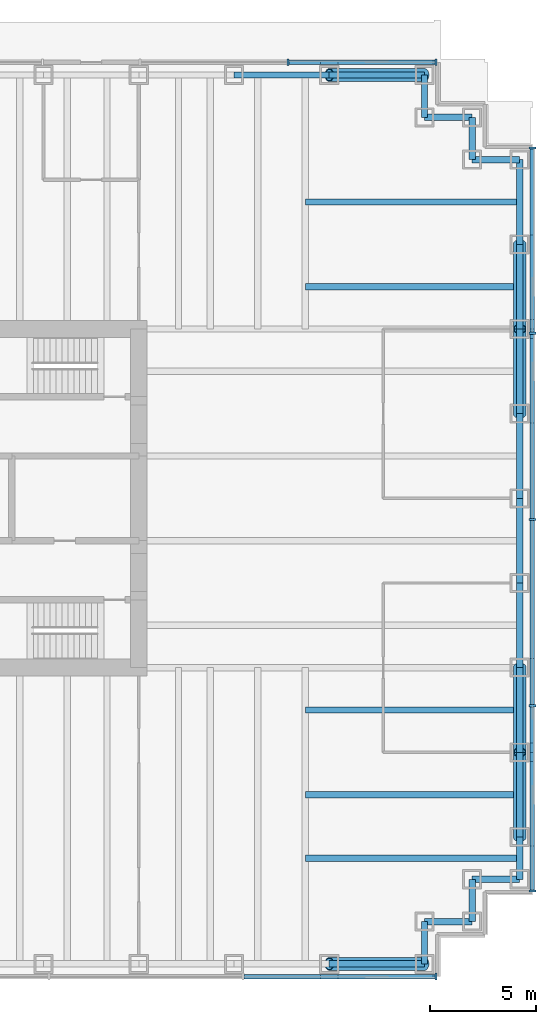
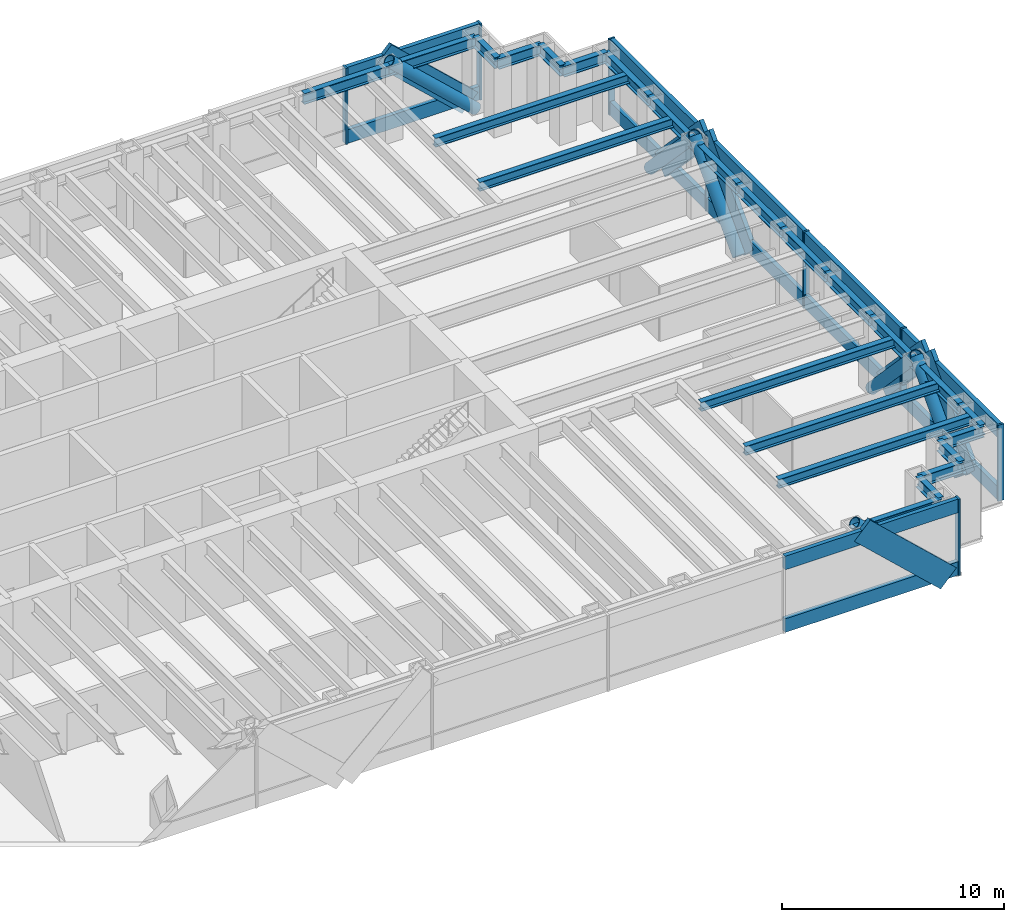
# One storey, part 5 of 14: 32 members, 25 beams, 3 elements without a shape of their own.
"""IFC4 building model written with IfcOpenShell, lengths in metres."""

from ifc_helpers import new_model, si_unit, direction, frame, origin, origin_2d, place, context, subcontext, project, spatial, rectangle, hollow_circle, i_section, extrude, material, material_profile, profile_set, type_object, element, aggregate, save


model = new_model("IFC4")

# Units and contexts
model_context = context("Model", 3, precision=1e-05, world=origin(), true_north=direction((0.0, 1.0)))
body_context = subcontext(model_context, "Body", "Model", "MODEL_VIEW")
ifc_project = project(units=[si_unit("LENGTHUNIT", "METRE"), si_unit("AREAUNIT", "SQUARE_METRE"), si_unit("VOLUMEUNIT", "CUBIC_METRE"), si_unit("PLANEANGLEUNIT", "RADIAN"), si_unit("MASSUNIT", "GRAM", prefix="KILO")], contexts=[model_context])

# Site, building, storey
site_placement = place(None, origin())
site = spatial("IfcSite", under=ifc_project, at=site_placement, CompositionType="ELEMENT")
building_placement = place(site_placement, origin())
building = spatial("IfcBuilding", under=site, at=building_placement, Name="Rheinbord Bourse Tower", CompositionType="ELEMENT")
storey_placement = place(building_placement, frame((0.0, 0.0, 185.800048828125)))
storey = spatial("IfcBuildingStorey", under=building, at=storey_placement, Name="L41", CompositionType="ELEMENT", Elevation=185.800048828125)

# Curtain wall, member
ifc_material_1 = material(Name="Dark glass and black aluminium", Category="aluminium")
curtain_wall_type = type_object("IfcCurtainWallType", Name="CW6 DARK GLASS CURTAIN WALL", PredefinedType="USERDEFINED", material=ifc_material_1)
curtain_wall_1_placement = place(storey_placement, origin())
curtain_wall_1 = element("IfcCurtainWall", 1, at=curtain_wall_1_placement, inside=storey, type_object=curtain_wall_type, Name="Curtain wall CW6 S L41", ObjectType="UNITISED CURTAIN WALL", PredefinedType="USERDEFINED")
ifc_material_2 = material(Name="Black anodised aluminium", Category="aluminium")
ifc_material_profile_1 = material_profile(ifc_material_2, rectangle(XDim=0.219970703125, YDim=1.2099609375, at=origin_2d()), Name="CW6 DIAGONAL MULLION 1210x220")
ifc_profile_set_1 = profile_set([ifc_material_profile_1], Name="Black anodised aluminium")
member_type_1 = type_object("IfcMemberType", Name="CW6 BLACK DIAGONAL MULLION", PredefinedType="USERDEFINED", material=ifc_profile_set_1)
member_1_placement = place(storey_placement, frame((67.5, 1.39990234375, 0.0), z_axis=(-0.73105922506, 0.0, 0.682314010889), x_axis=(0.0, -1.0, 0.0)))
member_1 = element("IfcMember", 2, at=member_1_placement, type_object=member_type_1, Name="CW6 diagonal mullion a", ObjectType="DIAGONAL MULLION", PredefinedType="USERDEFINED", context=body_context, shape_type="SweptSolid", body=[
    extrude(rectangle(XDim=0.219970703125, YDim=1.2099609375, at=origin_2d()), origin(), (0.0, 0.0, 1.0), 6.155517578125),
])

# Curtain wall, members
curtain_wall_2_placement = place(storey_placement, origin())
curtain_wall_2 = element("IfcCurtainWall", 3, at=curtain_wall_2_placement, inside=storey, type_object=curtain_wall_type, Name="Curtain wall CW6 E L41", ObjectType="UNITISED CURTAIN WALL", PredefinedType="USERDEFINED")
member_2_placement = place(storey_placement, frame((72.60009765625, 28.0, 0.0), z_axis=(0.0, 0.689659376744, 0.724133926887), x_axis=(-1.0, 0.0, 0.0)))
member_2 = element("IfcMember", 4, at=member_2_placement, type_object=member_type_1, Name="CW6 diagonal mullion a", ObjectType="DIAGONAL MULLION", PredefinedType="USERDEFINED", context=body_context, shape_type="SweptSolid", body=[
    extrude(rectangle(XDim=0.219970703125, YDim=1.2099609375, at=origin_2d()), origin(), (0.0, 0.0, 1.0), 5.800048828125),
])
member_3_placement = place(storey_placement, frame((72.60009765625, 16.0, 0.0), z_axis=(0.0, -0.689659376744, 0.724133926887), x_axis=(1.0, 0.0, 0.0)))
member_3 = element("IfcMember", 5, at=member_3_placement, type_object=member_type_1, Name="CW6 diagonal mullion b", ObjectType="DIAGONAL MULLION", PredefinedType="USERDEFINED", context=body_context, shape_type="SweptSolid", body=[
    extrude(rectangle(XDim=0.219970703125, YDim=1.2099609375, at=origin_2d()), origin(), (0.0, 0.0, 1.0), 5.800048828125),
])
member_4_placement = place(storey_placement, frame((72.60009765625, 36.0, 0.0), z_axis=(0.0, -0.689659376744, 0.724133926887), x_axis=(1.0, 0.0, 0.0)))
member_4 = element("IfcMember", 6, at=member_4_placement, type_object=member_type_1, Name="CW6 diagonal mullion c", ObjectType="DIAGONAL MULLION", PredefinedType="USERDEFINED", context=body_context, shape_type="SweptSolid", body=[
    extrude(rectangle(XDim=0.219970703125, YDim=1.2099609375, at=origin_2d()), origin(), (0.0, 0.0, 1.0), 5.800048828125),
])
member_5_placement = place(storey_placement, frame((72.60009765625, 8.0, 0.0), z_axis=(0.0, 0.689659376744, 0.724133926887), x_axis=(-1.0, 0.0, 0.0)))
member_5 = element("IfcMember", 7, at=member_5_placement, type_object=member_type_1, Name="CW6 diagonal mullion d", ObjectType="DIAGONAL MULLION", PredefinedType="USERDEFINED", context=body_context, shape_type="SweptSolid", body=[
    extrude(rectangle(XDim=0.219970703125, YDim=1.2099609375, at=origin_2d()), origin(), (0.0, 0.0, 1.0), 5.800048828125),
])

# Curtain wall, member
curtain_wall_3_placement = place(storey_placement, origin())
curtain_wall_3 = element("IfcCurtainWall", 8, at=curtain_wall_3_placement, inside=storey, type_object=curtain_wall_type, Name="Curtain wall CW6 N L41", ObjectType="UNITISED CURTAIN WALL", PredefinedType="USERDEFINED")
member_6_placement = place(storey_placement, frame((67.5, 44.60009765625, 0.0), z_axis=(-0.73105922506, 0.0, 0.682314010889), x_axis=(0.0, -1.0, 0.0)))
member_6 = element("IfcMember", 9, at=member_6_placement, type_object=member_type_1, Name="CW6 diagonal mullion a", ObjectType="DIAGONAL MULLION", PredefinedType="USERDEFINED", context=body_context, shape_type="SweptSolid", body=[
    extrude(rectangle(XDim=0.219970703125, YDim=1.2099609375, at=origin_2d()), origin(), (0.0, 0.0, 1.0), 6.155517578125),
])

# Member
ifc_material_3 = material(Name="Black anodised aluminium", Category="aluminium")
ifc_material_profile_2 = material_profile(ifc_material_3, rectangle(XDim=0.320068359375, YDim=0.10009765625, at=origin_2d()), Name="CW6 MULLION 100x320")
ifc_profile_set_2 = profile_set([ifc_material_profile_2], Name="Black anodised aluminium")
member_type_2 = type_object("IfcMemberType", Name="CW6 BLACK MULLION", PredefinedType="MULLION", material=ifc_profile_set_2)
member_7_placement = place(storey_placement, frame((68.050048828125, 1.39990234375, 0.0), z_axis=(0.0, 0.0, 1.0), x_axis=(0.0, 1.0, 0.0)))
member_7 = element("IfcMember", 10, at=member_7_placement, type_object=member_type_2, Name="CW6 mullion 8", PredefinedType="MULLION", context=body_context, shape_type="SweptSolid", body=[
    extrude(rectangle(XDim=0.320068359375, YDim=0.10009765625, at=origin_2d()), origin(), (0.0, 0.0, 1.0), 4.199951171875),
])

member_8_placement = place(storey_placement, frame((72.60009765625, 5.449951171875, 0.0), z_axis=(0.0, 0.0, 1.0), x_axis=(-1.0, 0.0, 0.0)))
member_8 = element("IfcMember", 11, at=member_8_placement, type_object=member_type_2, Name="CW6 mullion 1", PredefinedType="MULLION", context=body_context, shape_type="SweptSolid", body=[
    extrude(rectangle(XDim=0.320068359375, YDim=0.10009765625, at=origin_2d()), origin(), (0.0, 0.0, 1.0), 4.199951171875),
])

member_9_placement = place(storey_placement, frame((72.60009765625, 14.199951171875, 0.0), z_axis=(0.0, 0.0, 1.0), x_axis=(-1.0, 0.0, 0.0)))
member_9 = element("IfcMember", 12, at=member_9_placement, type_object=member_type_2, Name="CW6 mullion 2", PredefinedType="MULLION", context=body_context, shape_type="SweptSolid", body=[
    extrude(rectangle(XDim=0.320068359375, YDim=0.10009765625, at=origin_2d()), origin(), (0.0, 0.0, 1.0), 4.199951171875),
])

member_10_placement = place(storey_placement, frame((72.60009765625, 23.0, 0.0), z_axis=(0.0, 0.0, 1.0), x_axis=(-1.0, 0.0, 0.0)))
member_10 = element("IfcMember", 13, at=member_10_placement, type_object=member_type_2, Name="CW6 mullion 3", PredefinedType="MULLION", context=body_context, shape_type="SweptSolid", body=[
    extrude(rectangle(XDim=0.320068359375, YDim=0.10009765625, at=origin_2d()), origin(), (0.0, 0.0, 1.0), 4.199951171875),
])

member_11_placement = place(storey_placement, frame((72.60009765625, 31.800048828125, 0.0), z_axis=(0.0, 0.0, 1.0), x_axis=(-1.0, 0.0, 0.0)))
member_11 = element("IfcMember", 14, at=member_11_placement, type_object=member_type_2, Name="CW6 mullion 4", PredefinedType="MULLION", context=body_context, shape_type="SweptSolid", body=[
    extrude(rectangle(XDim=0.320068359375, YDim=0.10009765625, at=origin_2d()), origin(), (0.0, 0.0, 1.0), 4.199951171875),
])

member_12_placement = place(storey_placement, frame((72.60009765625, 40.550048828125, 0.0), z_axis=(0.0, 0.0, 1.0), x_axis=(-1.0, 0.0, 0.0)))
member_12 = element("IfcMember", 15, at=member_12_placement, type_object=member_type_2, Name="CW6 mullion 5", PredefinedType="MULLION", context=body_context, shape_type="SweptSolid", body=[
    extrude(rectangle(XDim=0.320068359375, YDim=0.10009765625, at=origin_2d()), origin(), (0.0, 0.0, 1.0), 4.199951171875),
])

member_13_placement = place(storey_placement, frame((68.050048828125, 44.60009765625, 0.0), z_axis=(0.0, 0.0, 1.0), x_axis=(0.0, -1.0, 0.0)))
member_13 = element("IfcMember", 16, at=member_13_placement, type_object=member_type_2, Name="CW6 mullion 1", PredefinedType="MULLION", context=body_context, shape_type="SweptSolid", body=[
    extrude(rectangle(XDim=0.320068359375, YDim=0.10009765625, at=origin_2d()), origin(), (0.0, 0.0, 1.0), 4.199951171875),
])

member_14_placement = place(storey_placement, frame((61.050048828125, 44.60009765625, 0.0), z_axis=(0.0, 0.0, 1.0), x_axis=(0.0, -1.0, 0.0)))
member_14 = element("IfcMember", 17, at=member_14_placement, type_object=member_type_2, Name="CW6 mullion 2", PredefinedType="MULLION", context=body_context, shape_type="SweptSolid", body=[
    extrude(rectangle(XDim=0.320068359375, YDim=0.10009765625, at=origin_2d()), origin(), (0.0, 0.0, 1.0), 4.199951171875),
])

ifc_material_4 = material(Name="Black anodised aluminium", Category="aluminium")
ifc_material_profile_3 = material_profile(ifc_material_4, rectangle(XDim=0.219970703125, YDim=0.75, at=origin_2d()), Name="CW6 TRANSOM 750x220")
ifc_profile_set_3 = profile_set([ifc_material_profile_3], Name="Black anodised aluminium")
member_type_3 = type_object("IfcMemberType", Name="CW6 BLACK TRANSOM", PredefinedType="USERDEFINED", material=ifc_profile_set_3)
member_15_placement = place(storey_placement, frame((58.978515625, 1.39990234375, 0.375), z_axis=(1.0, 0.0, 0.0), x_axis=(0.0, 1.0, 0.0)))
member_15 = element("IfcMember", 18, at=member_15_placement, type_object=member_type_3, Name="CW6 transom 7.1", ObjectType="TRANSOM", PredefinedType="USERDEFINED", context=body_context, shape_type="SweptSolid", body=[
    extrude(rectangle(XDim=0.219970703125, YDim=0.75, at=origin_2d()), origin(), (0.0, 0.0, 1.0), 9.021484375),
])

member_16_placement = place(storey_placement, frame((58.978515625, 1.39990234375, 3.824951171875), z_axis=(1.0, 0.0, 0.0), x_axis=(0.0, 1.0, 0.0)))
member_16 = element("IfcMember", 19, at=member_16_placement, type_object=member_type_3, Name="CW6 transom 7.2", ObjectType="TRANSOM", PredefinedType="USERDEFINED", context=body_context, shape_type="SweptSolid", body=[
    extrude(rectangle(XDim=0.219970703125, YDim=0.75, at=origin_2d()), origin(), (0.0, 0.0, 1.0), 9.021484375),
])

aggregate(curtain_wall_1, [member_7, member_15, member_16, member_1])

member_17_placement = place(storey_placement, frame((72.60009765625, 5.5, 0.375), z_axis=(0.0, 1.0, 0.0), x_axis=(-1.0, 0.0, 0.0)))
member_17 = element("IfcMember", 20, at=member_17_placement, type_object=member_type_3, Name="CW6 transom 1.1", ObjectType="TRANSOM", PredefinedType="USERDEFINED", context=body_context, shape_type="SweptSolid", body=[
    extrude(rectangle(XDim=0.219970703125, YDim=0.75, at=origin_2d()), origin(), (0.0, 0.0, 1.0), 8.64990234375),
])

member_18_placement = place(storey_placement, frame((72.60009765625, 5.5, 3.824951171875), z_axis=(0.0, 1.0, 0.0), x_axis=(-1.0, 0.0, 0.0)))
member_18 = element("IfcMember", 21, at=member_18_placement, type_object=member_type_3, Name="CW6 transom 1.2", ObjectType="TRANSOM", PredefinedType="USERDEFINED", context=body_context, shape_type="SweptSolid", body=[
    extrude(rectangle(XDim=0.219970703125, YDim=0.75, at=origin_2d()), origin(), (0.0, 0.0, 1.0), 8.64990234375),
])

member_19_placement = place(storey_placement, frame((72.60009765625, 14.25, 0.375), z_axis=(0.0, 1.0, 0.0), x_axis=(-1.0, 0.0, 0.0)))
member_19 = element("IfcMember", 22, at=member_19_placement, type_object=member_type_3, Name="CW6 transom 2.1", ObjectType="TRANSOM", PredefinedType="USERDEFINED", context=body_context, shape_type="SweptSolid", body=[
    extrude(rectangle(XDim=0.219970703125, YDim=0.75, at=origin_2d()), origin(), (0.0, 0.0, 1.0), 8.699951171875),
])

member_20_placement = place(storey_placement, frame((72.60009765625, 14.25, 3.824951171875), z_axis=(0.0, 1.0, 0.0), x_axis=(-1.0, 0.0, 0.0)))
member_20 = element("IfcMember", 23, at=member_20_placement, type_object=member_type_3, Name="CW6 transom 2.2", ObjectType="TRANSOM", PredefinedType="USERDEFINED", context=body_context, shape_type="SweptSolid", body=[
    extrude(rectangle(XDim=0.219970703125, YDim=0.75, at=origin_2d()), origin(), (0.0, 0.0, 1.0), 8.699951171875),
])

member_21_placement = place(storey_placement, frame((72.60009765625, 23.050048828125, 0.375), z_axis=(0.0, 1.0, 0.0), x_axis=(-1.0, 0.0, 0.0)))
member_21 = element("IfcMember", 24, at=member_21_placement, type_object=member_type_3, Name="CW6 transom 3.1", ObjectType="TRANSOM", PredefinedType="USERDEFINED", context=body_context, shape_type="SweptSolid", body=[
    extrude(rectangle(XDim=0.219970703125, YDim=0.75, at=origin_2d()), origin(), (0.0, 0.0, 1.0), 8.699951171875),
])

member_22_placement = place(storey_placement, frame((72.60009765625, 23.050048828125, 3.824951171875), z_axis=(0.0, 1.0, 0.0), x_axis=(-1.0, 0.0, 0.0)))
member_22 = element("IfcMember", 25, at=member_22_placement, type_object=member_type_3, Name="CW6 transom 3.2", ObjectType="TRANSOM", PredefinedType="USERDEFINED", context=body_context, shape_type="SweptSolid", body=[
    extrude(rectangle(XDim=0.219970703125, YDim=0.75, at=origin_2d()), origin(), (0.0, 0.0, 1.0), 8.699951171875),
])

member_23_placement = place(storey_placement, frame((72.60009765625, 31.85009765625, 0.375), z_axis=(0.0, 1.0, 0.0), x_axis=(-1.0, 0.0, 0.0)))
member_23 = element("IfcMember", 26, at=member_23_placement, type_object=member_type_3, Name="CW6 transom 4.1", ObjectType="TRANSOM", PredefinedType="USERDEFINED", context=body_context, shape_type="SweptSolid", body=[
    extrude(rectangle(XDim=0.219970703125, YDim=0.75, at=origin_2d()), origin(), (0.0, 0.0, 1.0), 8.64990234375),
])

member_24_placement = place(storey_placement, frame((72.60009765625, 31.85009765625, 3.824951171875), z_axis=(0.0, 1.0, 0.0), x_axis=(-1.0, 0.0, 0.0)))
member_24 = element("IfcMember", 27, at=member_24_placement, type_object=member_type_3, Name="CW6 transom 4.2", ObjectType="TRANSOM", PredefinedType="USERDEFINED", context=body_context, shape_type="SweptSolid", body=[
    extrude(rectangle(XDim=0.219970703125, YDim=0.75, at=origin_2d()), origin(), (0.0, 0.0, 1.0), 8.64990234375),
])

aggregate(curtain_wall_2, [member_8, member_9, member_10, member_11, member_12, member_17, member_18, member_19, member_20, member_21, member_22, member_23, member_24, member_2, member_3, member_4, member_5])

member_25_placement = place(storey_placement, frame((68.0, 44.60009765625, 0.375), z_axis=(-1.0, 0.0, 0.0), x_axis=(0.0, -1.0, 0.0)))
member_25 = element("IfcMember", 28, at=member_25_placement, type_object=member_type_3, Name="CW6 transom 1.1", ObjectType="TRANSOM", PredefinedType="USERDEFINED", context=body_context, shape_type="SweptSolid", body=[
    extrude(rectangle(XDim=0.219970703125, YDim=0.75, at=origin_2d()), origin(), (0.0, 0.0, 1.0), 6.89990234375),
])

member_26_placement = place(storey_placement, frame((68.0, 44.60009765625, 3.824951171875), z_axis=(-1.0, 0.0, 0.0), x_axis=(0.0, -1.0, 0.0)))
member_26 = element("IfcMember", 29, at=member_26_placement, type_object=member_type_3, Name="CW6 transom 1.2", ObjectType="TRANSOM", PredefinedType="USERDEFINED", context=body_context, shape_type="SweptSolid", body=[
    extrude(rectangle(XDim=0.219970703125, YDim=0.75, at=origin_2d()), origin(), (0.0, 0.0, 1.0), 6.89990234375),
])

aggregate(curtain_wall_3, [member_13, member_14, member_25, member_26, member_6])

# Members
ifc_material_5 = material(Name="Steel S460", Category="steel")
ifc_material_profile_4 = material_profile(ifc_material_5, hollow_circle(Radius=0.304931640625, WallThickness=0.0400390625, at=origin_2d()), Name="CHS 610x40")
ifc_profile_set_4 = profile_set([ifc_material_profile_4], Name="Steel S460")
member_type_4 = type_object("IfcMemberType", Name="MEGABRACE CHS 610x40", PredefinedType="BRACE", material=ifc_profile_set_4)
member_27_placement = place(storey_placement, frame((67.5, 2.0, 0.0), z_axis=(-0.73105922506, 0.0, 0.682314010889), x_axis=(0.0, -1.0, 0.0)))
element("IfcMember", 30, at=member_27_placement, inside=storey, type_object=member_type_4, Name="Megabrace S face line a L41", PredefinedType="BRACE", context=body_context, shape_type="SweptSolid", body=[
    extrude(hollow_circle(Radius=0.304931640625, WallThickness=0.0400390625, at=origin_2d()), origin(), (0.0, 0.0, 1.0), 6.155517578125),
])
for number, where, z_axis, x_axis, name in (
    (31, (72.0, 28.0, 0.0), (0.0, 0.689659376744, 0.724133926887), (-1.0, 0.0, 0.0), "Megabrace E face line a L41"),
    (32, (72.0, 16.0, 0.0), (0.0, -0.689659376744, 0.724133926887), (1.0, 0.0, 0.0), "Megabrace E face line b L41"),
    (33, (72.0, 36.0, 0.0), (0.0, -0.689659376744, 0.724133926887), (1.0, 0.0, 0.0), "Megabrace E face line c L41"),
    (34, (72.0, 8.0, 0.0), (0.0, 0.689659376744, 0.724133926887), (-1.0, 0.0, 0.0), "Megabrace E face line d L41"),
):
    element("IfcMember", number, at=place(storey_placement, frame(where, z_axis=z_axis, x_axis=x_axis)), inside=storey, type_object=member_type_4, Name=name, PredefinedType="BRACE", context=body_context, shape_type="SweptSolid", body=[
        extrude(hollow_circle(Radius=0.304931640625, WallThickness=0.0400390625, at=origin_2d()), origin(), (0.0, 0.0, 1.0), 5.800048828125),
    ])
member_28_placement = place(storey_placement, frame((67.5, 44.0, 0.0), z_axis=(-0.73105922506, 0.0, 0.682314010889), x_axis=(0.0, -1.0, 0.0)))
element("IfcMember", 35, at=member_28_placement, inside=storey, type_object=member_type_4, Name="Megabrace N face line a L41", PredefinedType="BRACE", context=body_context, shape_type="SweptSolid", body=[
    extrude(hollow_circle(Radius=0.304931640625, WallThickness=0.0400390625, at=origin_2d()), origin(), (0.0, 0.0, 1.0), 6.155517578125),
])

# Beams
ifc_material_6 = material(Name="Steel S460", Category="steel")
ifc_material_profile_5 = material_profile(ifc_material_6, i_section(OverallWidth=0.300048828125, OverallDepth=0.60009765625, WebThickness=0.015380859375, FlangeThickness=0.030029296875, at=origin_2d()), Name="HEB 600")
ifc_profile_set_5 = profile_set([ifc_material_profile_5], Name="Steel S460")
beam_type_1 = type_object("IfcBeamType", Name="SPANDREL HEB 600", PredefinedType="SPANDREL", material=ifc_profile_set_5)
beam_1_placement = place(storey_placement, frame((63.0, 2.0, 3.739990234375), z_axis=(1.0, 0.0, 0.0), x_axis=(0.0, 1.0, 0.0)))
element("IfcBeam", 36, at=beam_1_placement, inside=storey, type_object=beam_type_1, Name="Spandrel S-63-SE-E under L42", PredefinedType="SPANDREL", context=body_context, shape_type="SweptSolid", body=[
    extrude(i_section(OverallWidth=0.300048828125, OverallDepth=0.60009765625, WebThickness=0.015380859375, FlangeThickness=0.030029296875, at=origin_2d()), origin(), (0.0, 0.0, 1.0), 4.5),
])
beam_2_placement = place(storey_placement, frame((67.5, 2.0, 3.739990234375), z_axis=(0.0, 1.0, 0.0), x_axis=(-1.0, 0.0, 0.0)))
element("IfcBeam", 37, at=beam_2_placement, inside=storey, type_object=beam_type_1, Name="Spandrel SE-E-SE-D under L42", PredefinedType="SPANDREL", context=body_context, shape_type="SweptSolid", body=[
    extrude(i_section(OverallWidth=0.300048828125, OverallDepth=0.60009765625, WebThickness=0.015380859375, FlangeThickness=0.030029296875, at=origin_2d()), origin(), (0.0, 0.0, 1.0), 2.0),
])
beam_3_placement = place(storey_placement, frame((67.5, 4.0, 3.739990234375), z_axis=(1.0, 0.0, 0.0), x_axis=(0.0, 1.0, 0.0)))
element("IfcBeam", 38, at=beam_3_placement, inside=storey, type_object=beam_type_1, Name="Spandrel SE-D-SE-C under L42", PredefinedType="SPANDREL", context=body_context, shape_type="SweptSolid", body=[
    extrude(i_section(OverallWidth=0.300048828125, OverallDepth=0.60009765625, WebThickness=0.015380859375, FlangeThickness=0.030029296875, at=origin_2d()), origin(), (0.0, 0.0, 1.0), 2.25),
])
beam_4_placement = place(storey_placement, frame((69.75, 4.0, 3.739990234375), z_axis=(0.0, 1.0, 0.0), x_axis=(-1.0, 0.0, 0.0)))
element("IfcBeam", 39, at=beam_4_placement, inside=storey, type_object=beam_type_1, Name="Spandrel SE-C-SE-B under L42", PredefinedType="SPANDREL", context=body_context, shape_type="SweptSolid", body=[
    extrude(i_section(OverallWidth=0.300048828125, OverallDepth=0.60009765625, WebThickness=0.015380859375, FlangeThickness=0.030029296875, at=origin_2d()), origin(), (0.0, 0.0, 1.0), 2.0),
])
beam_5_placement = place(storey_placement, frame((69.75, 6.0, 3.739990234375), z_axis=(1.0, 0.0, 0.0), x_axis=(0.0, 1.0, 0.0)))
element("IfcBeam", 40, at=beam_5_placement, inside=storey, type_object=beam_type_1, Name="Spandrel SE-B-SE-A under L42", PredefinedType="SPANDREL", context=body_context, shape_type="SweptSolid", body=[
    extrude(i_section(OverallWidth=0.300048828125, OverallDepth=0.60009765625, WebThickness=0.015380859375, FlangeThickness=0.030029296875, at=origin_2d()), origin(), (0.0, 0.0, 1.0), 2.25),
])
beam_6_placement = place(storey_placement, frame((72.0, 6.0, 3.739990234375), z_axis=(0.0, 1.0, 0.0), x_axis=(-1.0, 0.0, 0.0)))
element("IfcBeam", 41, at=beam_6_placement, inside=storey, type_object=beam_type_1, Name="Spandrel SE-A-E-8 under L42", PredefinedType="SPANDREL", context=body_context, shape_type="SweptSolid", body=[
    extrude(i_section(OverallWidth=0.300048828125, OverallDepth=0.60009765625, WebThickness=0.015380859375, FlangeThickness=0.030029296875, at=origin_2d()), origin(), (0.0, 0.0, 1.0), 2.0),
])
for number, where, z_axis, x_axis, name in (
    (42, (72.0, 8.0, 3.739990234375), (0.0, 1.0, 0.0), (-1.0, 0.0, 0.0), "Spandrel E-8-E-12 under L42"),
    (43, (72.0, 12.0, 3.739990234375), (0.0, 1.0, 0.0), (-1.0, 0.0, 0.0), "Spandrel E-12-E-16 under L42"),
    (44, (72.0, 16.0, 3.739990234375), (0.0, 1.0, 0.0), (-1.0, 0.0, 0.0), "Spandrel E-16-E-20 under L42"),
    (45, (72.0, 20.0, 3.739990234375), (0.0, 1.0, 0.0), (-1.0, 0.0, 0.0), "Spandrel E-20-E-24 under L42"),
    (46, (72.0, 24.0, 3.739990234375), (0.0, 1.0, 0.0), (-1.0, 0.0, 0.0), "Spandrel E-24-E-28 under L42"),
    (47, (72.0, 28.0, 3.739990234375), (0.0, 1.0, 0.0), (-1.0, 0.0, 0.0), "Spandrel E-28-E-32 under L42"),
    (48, (72.0, 32.0, 3.739990234375), (0.0, 1.0, 0.0), (-1.0, 0.0, 0.0), "Spandrel E-32-E-36 under L42"),
    (49, (72.0, 36.0, 3.739990234375), (0.0, 1.0, 0.0), (-1.0, 0.0, 0.0), "Spandrel E-36-NE-A under L42"),
):
    element("IfcBeam", number, at=place(storey_placement, frame(where, z_axis=z_axis, x_axis=x_axis)), inside=storey, type_object=beam_type_1, Name=name, PredefinedType="SPANDREL", context=body_context, shape_type="SweptSolid", body=[
        extrude(i_section(OverallWidth=0.300048828125, OverallDepth=0.60009765625, WebThickness=0.015380859375, FlangeThickness=0.030029296875, at=origin_2d()), origin(), (0.0, 0.0, 1.0), 4.0),
    ])
beam_7_placement = place(storey_placement, frame((72.0, 40.0, 3.739990234375), z_axis=(-1.0, 0.0, 0.0), x_axis=(0.0, -1.0, 0.0)))
element("IfcBeam", 50, at=beam_7_placement, inside=storey, type_object=beam_type_1, Name="Spandrel NE-A-NE-B under L42", PredefinedType="SPANDREL", context=body_context, shape_type="SweptSolid", body=[
    extrude(i_section(OverallWidth=0.300048828125, OverallDepth=0.60009765625, WebThickness=0.015380859375, FlangeThickness=0.030029296875, at=origin_2d()), origin(), (0.0, 0.0, 1.0), 2.25),
])
beam_8_placement = place(storey_placement, frame((69.75, 40.0, 3.739990234375), z_axis=(0.0, 1.0, 0.0), x_axis=(-1.0, 0.0, 0.0)))
element("IfcBeam", 51, at=beam_8_placement, inside=storey, type_object=beam_type_1, Name="Spandrel NE-B-NE-C under L42", PredefinedType="SPANDREL", context=body_context, shape_type="SweptSolid", body=[
    extrude(i_section(OverallWidth=0.300048828125, OverallDepth=0.60009765625, WebThickness=0.015380859375, FlangeThickness=0.030029296875, at=origin_2d()), origin(), (0.0, 0.0, 1.0), 2.0),
])
beam_9_placement = place(storey_placement, frame((69.75, 42.0, 3.739990234375), z_axis=(-1.0, 0.0, 0.0), x_axis=(0.0, -1.0, 0.0)))
element("IfcBeam", 52, at=beam_9_placement, inside=storey, type_object=beam_type_1, Name="Spandrel NE-C-NE-D under L42", PredefinedType="SPANDREL", context=body_context, shape_type="SweptSolid", body=[
    extrude(i_section(OverallWidth=0.300048828125, OverallDepth=0.60009765625, WebThickness=0.015380859375, FlangeThickness=0.030029296875, at=origin_2d()), origin(), (0.0, 0.0, 1.0), 2.25),
])
beam_10_placement = place(storey_placement, frame((67.5, 42.0, 3.739990234375), z_axis=(0.0, 1.0, 0.0), x_axis=(-1.0, 0.0, 0.0)))
element("IfcBeam", 53, at=beam_10_placement, inside=storey, type_object=beam_type_1, Name="Spandrel NE-D-NE-E under L42", PredefinedType="SPANDREL", context=body_context, shape_type="SweptSolid", body=[
    extrude(i_section(OverallWidth=0.300048828125, OverallDepth=0.60009765625, WebThickness=0.015380859375, FlangeThickness=0.030029296875, at=origin_2d()), origin(), (0.0, 0.0, 1.0), 2.0),
])
for number, where, z_axis, x_axis, name in (
    (54, (67.5, 44.0, 3.739990234375), (-1.0, 0.0, 0.0), (0.0, -1.0, 0.0), "Spandrel NE-E-N-63 under L42"),
    (55, (63.0, 44.0, 3.739990234375), (-1.0, 0.0, 0.0), (0.0, -1.0, 0.0), "Spandrel N-63-N-58.5 under L42"),
):
    element("IfcBeam", number, at=place(storey_placement, frame(where, z_axis=z_axis, x_axis=x_axis)), inside=storey, type_object=beam_type_1, Name=name, PredefinedType="SPANDREL", context=body_context, shape_type="SweptSolid", body=[
        extrude(i_section(OverallWidth=0.300048828125, OverallDepth=0.60009765625, WebThickness=0.015380859375, FlangeThickness=0.030029296875, at=origin_2d()), origin(), (0.0, 0.0, 1.0), 4.5),
    ])
ifc_material_7 = material(Name="Steel S460", Category="steel")
ifc_material_profile_6 = material_profile(ifc_material_7, i_section(OverallWidth=0.300048828125, OverallDepth=0.5, WebThickness=0.014404296875, FlangeThickness=0.028076171875, at=origin_2d()), Name="HEB 500")
ifc_profile_set_6 = profile_set([ifc_material_profile_6], Name="Steel S460")
beam_type_2 = type_object("IfcBeamType", Name="TIE BEAM HEB 500", PredefinedType="JOIST", material=ifc_profile_set_6)
for number, where, z_axis, x_axis, name in (
    (56, (61.875, 7.0, 3.7900390625), (1.0, 0.0, 0.0), (0.0, 1.0, 0.0), "Tie east 7 L42"),
    (57, (61.875, 10.0, 3.7900390625), (1.0, 0.0, 0.0), (0.0, 1.0, 0.0), "Tie east 10 L42"),
    (58, (61.875, 14.0, 3.7900390625), (1.0, 0.0, 0.0), (0.0, 1.0, 0.0), "Tie east 14 L42"),
    (59, (61.875, 34.0, 3.7900390625), (1.0, 0.0, 0.0), (0.0, 1.0, 0.0), "Tie east 34 L42"),
    (60, (61.875, 38.0, 3.7900390625), (1.0, 0.0, 0.0), (0.0, 1.0, 0.0), "Tie east 38 L42"),
):
    element("IfcBeam", number, at=place(storey_placement, frame(where, z_axis=z_axis, x_axis=x_axis)), inside=storey, type_object=beam_type_2, Name=name, PredefinedType="JOIST", context=body_context, shape_type="SweptSolid", body=[
        extrude(i_section(OverallWidth=0.300048828125, OverallDepth=0.5, WebThickness=0.014404296875, FlangeThickness=0.028076171875, at=origin_2d()), origin(), (0.0, 0.0, 1.0), 10.125),
    ])

save(model, "model.ifc")
